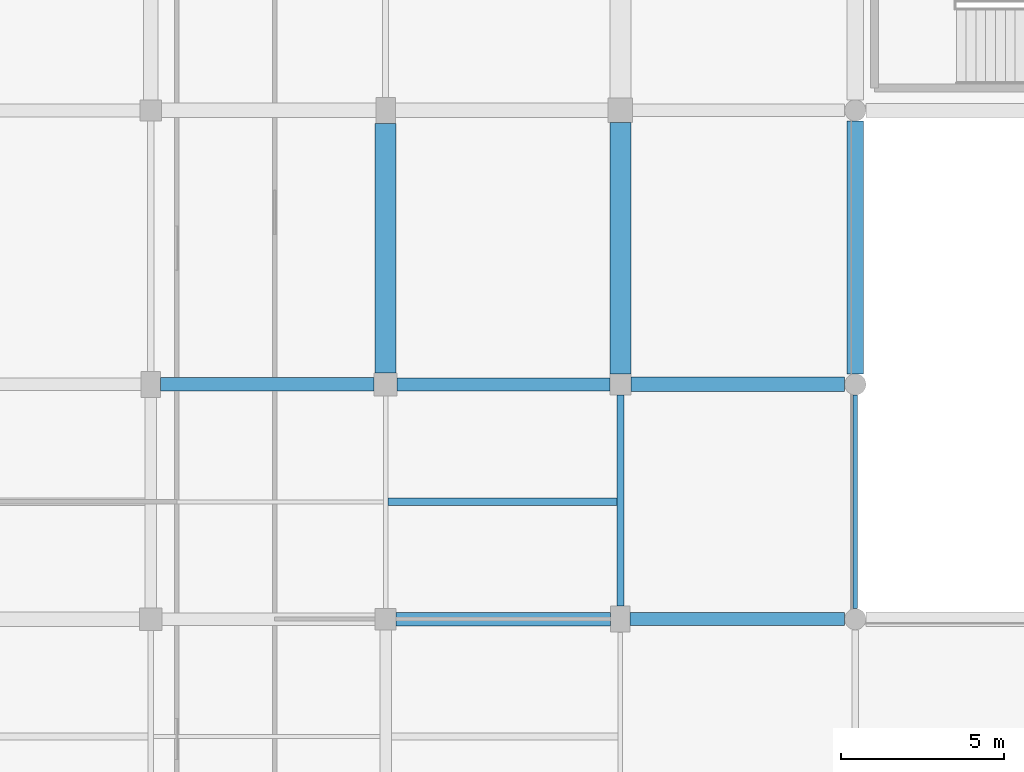
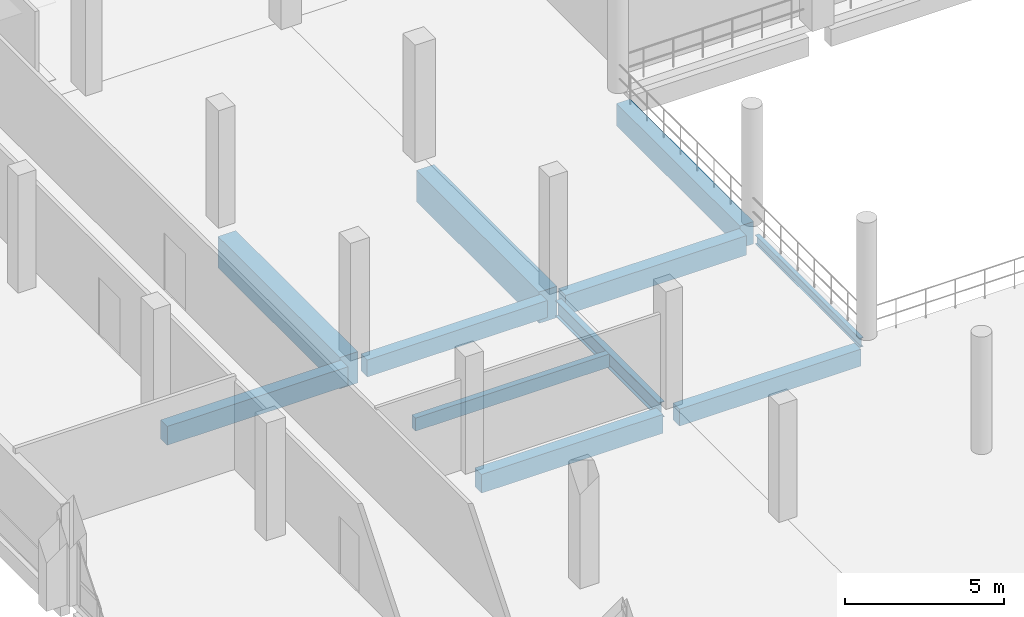
# One storey, part 57 of 116: 11 beams.
"""IFC4 building model written with IfcOpenShell, lengths in metres."""

from ifc_helpers import new_model, si_unit, direction, frame, origin, origin_2d, place, context, subcontext, project, spatial, rectangle, i_section, extrude, material, material_profile, profile_set, type_object, element, save


model = new_model("IFC4")

# Units and contexts
model_context = context("Model", 3, precision=1e-05, world=origin(), true_north=direction((0.0, 1.0)))
body_context = subcontext(model_context, "Body", "Model", "MODEL_VIEW")
ifc_project = project(units=[si_unit("LENGTHUNIT", "METRE"), si_unit("AREAUNIT", "SQUARE_METRE"), si_unit("VOLUMEUNIT", "CUBIC_METRE"), si_unit("PLANEANGLEUNIT", "RADIAN"), si_unit("MASSUNIT", "GRAM", prefix="KILO")], contexts=[model_context])

# Site, building, storey
site_placement = place(None, origin())
site = spatial("IfcSite", under=ifc_project, at=site_placement, CompositionType="ELEMENT")
building_placement = place(site_placement, origin())
building = spatial("IfcBuilding", under=site, at=building_placement, Name="Kalluvel Institute of Natural Sciences", CompositionType="ELEMENT")
storey_placement = place(building_placement, frame((0.0, 0.0, 14.39990234375)))
storey = spatial("IfcBuildingStorey", under=building, at=storey_placement, Name="L03", CompositionType="ELEMENT", Elevation=14.39990234375)

# Beams
ifc_material_1 = material(Name="Steel E350 Grade 350", Category="steel")
ifc_material_profile_1 = material_profile(ifc_material_1, i_section(OverallWidth=0.139892578125, OverallDepth=0.35009765625, WebThickness=0.008056640625, FlangeThickness=0.01416015625, FilletRadius=0.013916015625, at=origin_2d()), Name="ISMB 350")
ifc_profile_set_1 = profile_set([ifc_material_profile_1], Name="Steel E350 Grade 350")
beam_type_1 = type_object("IfcBeamType", Name="BM-ISMB350", PredefinedType="BEAM", material=ifc_profile_set_1)
beam_1_placement = place(storey_placement, frame((42.800048828125, 79.125, -0.494873046875), z_axis=(0.0, 1.0, 0.0), x_axis=(-1.0, 0.0, 0.0)))
element("IfcBeam", 1, at=beam_1_placement, inside=storey, type_object=beam_type_1, Name="L03 girder GIR-L03-NS-X428-Y788", PredefinedType="BEAM", context=body_context, shape_type="SweptSolid", body=[
    extrude(i_section(OverallWidth=0.139892578125, OverallDepth=0.35009765625, WebThickness=0.008056640625, FlangeThickness=0.01416015625, FilletRadius=0.013916015625, at=origin_2d()), origin(), (0.0, 0.0, 1.0), 6.550048828125),
])
ifc_material_profile_2 = material_profile(ifc_material_1, i_section(OverallWidth=0.2099609375, OverallDepth=0.60009765625, WebThickness=0.011962890625, FlangeThickness=0.020751953125, FilletRadius=0.02001953125, at=origin_2d()), Name="ISMB 600")
ifc_profile_set_2 = profile_set([ifc_material_profile_2], Name="Steel E350 Grade 350")
beam_type_2 = type_object("IfcBeamType", Name="BM-ISMB600", PredefinedType="BEAM", material=ifc_profile_set_2)
beam_2_placement = place(storey_placement, frame((35.60009765625, 79.199951171875, -0.599853515625), z_axis=(0.0, 1.0, 0.0), x_axis=(-1.0, 0.0, 0.0)))
element("IfcBeam", 2, at=beam_2_placement, inside=storey, type_object=beam_type_2, Name="L03 girder GIR-L03-NS-X356-Y788", PredefinedType="BEAM", context=body_context, shape_type="SweptSolid", body=[
    extrude(i_section(OverallWidth=0.2099609375, OverallDepth=0.60009765625, WebThickness=0.011962890625, FlangeThickness=0.020751953125, FilletRadius=0.02001953125, at=origin_2d()), origin(), (0.0, 0.0, 1.0), 6.47509765625),
])
ifc_material_2 = material(Name="Concrete M40", Category="concrete")
ifc_material_profile_3 = material_profile(ifc_material_2, rectangle(XDim=0.39990234375, YDim=0.64990234375, at=origin_2d()), Name="RCB 400x650")
ifc_profile_set_3 = profile_set([ifc_material_profile_3], Name="Concrete M40")
beam_type_3 = type_object("IfcBeamType", Name="BM-RC400x650", PredefinedType="BEAM", material=ifc_profile_set_3)
beam_3_placement = place(storey_placement, frame((35.89990234375, 78.800048828125, -0.64501953125), z_axis=(1.0, 0.0, 0.0), x_axis=(0.0, 1.0, 0.0)))
element("IfcBeam", 3, at=beam_3_placement, inside=storey, type_object=beam_type_3, Name="L03 girder GIR-L03-EW-X356-Y788", PredefinedType="BEAM", context=body_context, shape_type="SweptSolid", body=[
    extrude(rectangle(XDim=0.39990234375, YDim=0.64990234375, at=origin_2d()), origin(), (0.0, 0.0, 1.0), 6.5751953125),
])
beam_4_placement = place(storey_placement, frame((28.75, 86.0, -0.625), z_axis=(1.0, 0.0, 0.0), x_axis=(0.0, 1.0, 0.0)))
element("IfcBeam", 4, at=beam_4_placement, inside=storey, type_object=beam_type_3, Name="L03 girder GIR-L03-EW-X284-Y860", PredefinedType="BEAM", context=body_context, shape_type="SweptSolid", body=[
    extrude(rectangle(XDim=0.39990234375, YDim=0.64990234375, at=origin_2d()), origin(), (0.0, 0.0, 1.0), 6.52490234375),
])
ifc_material_profile_4 = material_profile(ifc_material_2, rectangle(XDim=0.419921875, YDim=0.719970703125, at=origin_2d()), Name="RCB 420x720")
ifc_profile_set_4 = profile_set([ifc_material_profile_4], Name="Concrete M40")
beam_type_4 = type_object("IfcBeamType", Name="BM-RC420x720", PredefinedType="BEAM", material=ifc_profile_set_4)
beam_5_placement = place(storey_placement, frame((28.72509765625, 78.800048828125, -0.659912109375), z_axis=(1.0, 0.0, 0.0), x_axis=(0.0, 1.0, 0.0)))
element("IfcBeam", 5, at=beam_5_placement, inside=storey, type_object=beam_type_4, Name="L03 girder GIR-L03-EW-X284-Y788", PredefinedType="BEAM", context=body_context, shape_type="SweptSolid", body=[
    extrude(rectangle(XDim=0.419921875, YDim=0.719970703125, at=origin_2d()), origin(), (0.0, 0.0, 1.0), 6.574951171875),
])
beam_6_placement = place(storey_placement, frame((21.5, 86.0, -0.659912109375), z_axis=(1.0, 0.0, 0.0), x_axis=(0.0, 1.0, 0.0)))
element("IfcBeam", 6, at=beam_6_placement, inside=storey, type_object=beam_type_4, Name="L03 girder GIR-L03-EW-X212-Y860", PredefinedType="BEAM", context=body_context, shape_type="SweptSolid", body=[
    extrude(rectangle(XDim=0.419921875, YDim=0.719970703125, at=origin_2d()), origin(), (0.0, 0.0, 1.0), 6.550048828125),
])
ifc_material_profile_5 = material_profile(ifc_material_2, rectangle(XDim=0.449951171875, YDim=0.75, at=origin_2d()), Name="RCB 450x750")
ifc_profile_set_5 = profile_set([ifc_material_profile_5], Name="Concrete M40")
beam_type_5 = type_object("IfcBeamType", Name="BM-RC450x750", PredefinedType="BEAM", material=ifc_profile_set_5)
beam_7_placement = place(storey_placement, frame((35.925048828125, 86.0, -0.69482421875), z_axis=(1.0, 0.0, 0.0), x_axis=(0.0, 1.0, 0.0)))
element("IfcBeam", 7, at=beam_7_placement, inside=storey, type_object=beam_type_5, Name="L03 girder GIR-L03-EW-X356-Y860", PredefinedType="BEAM", context=body_context, shape_type="SweptSolid", body=[
    extrude(rectangle(XDim=0.449951171875, YDim=0.75, at=origin_2d()), origin(), (0.0, 0.0, 1.0), 6.550048828125),
])
ifc_material_3 = material(Name="Concrete M50", Category="concrete")
ifc_material_profile_6 = material_profile(ifc_material_3, rectangle(XDim=0.5, YDim=0.85009765625, at=origin_2d()), Name="RCB 500x850")
ifc_profile_set_6 = profile_set([ifc_material_profile_6], Name="Concrete M50")
beam_type_6 = type_object("IfcBeamType", Name="BM-RC500x850", PredefinedType="BEAM", material=ifc_profile_set_6)
beam_8_placement = place(storey_placement, frame((42.800048828125, 86.324951171875, -0.744873046875), z_axis=(0.0, 1.0, 0.0), x_axis=(-1.0, 0.0, 0.0)))
element("IfcBeam", 8, at=beam_8_placement, inside=storey, type_object=beam_type_6, Name="L03 girder GIR-L03-NS-X428-Y860", PredefinedType="BEAM", context=body_context, shape_type="SweptSolid", body=[
    extrude(rectangle(XDim=0.5, YDim=0.85009765625, at=origin_2d()), origin(), (0.0, 0.0, 1.0), 7.75),
])
ifc_material_profile_7 = material_profile(ifc_material_3, rectangle(XDim=0.64990234375, YDim=1.199951171875, at=origin_2d()), Name="RCB 650x1200")
ifc_profile_set_7 = profile_set([ifc_material_profile_7], Name="Concrete M50")
beam_type_7 = type_object("IfcBeamType", Name="BM-RC650x1200", PredefinedType="BEAM", material=ifc_profile_set_7)
beam_9_placement = place(storey_placement, frame((28.39990234375, 86.35009765625, -0.89990234375), z_axis=(0.0, 1.0, 0.0), x_axis=(-1.0, 0.0, 0.0)))
element("IfcBeam", 9, at=beam_9_placement, inside=storey, type_object=beam_type_7, Name="L03 girder GIR-L03-NS-X284-Y860", PredefinedType="BEAM", context=body_context, shape_type="SweptSolid", body=[
    extrude(rectangle(XDim=0.64990234375, YDim=1.199951171875, at=origin_2d()), origin(), (0.0, 0.0, 1.0), 7.64990234375),
])
beam_10_placement = place(storey_placement, frame((35.60009765625, 86.324951171875, -0.89990234375), z_axis=(0.0, 1.0, 0.0), x_axis=(-1.0, 0.0, 0.0)))
element("IfcBeam", 10, at=beam_10_placement, inside=storey, type_object=beam_type_7, Name="L03 girder GIR-L03-NS-X356-Y860", PredefinedType="BEAM", context=body_context, shape_type="SweptSolid", body=[
    extrude(rectangle(XDim=0.64990234375, YDim=1.199951171875, at=origin_2d()), origin(), (0.0, 0.0, 1.0), 7.699951171875),
])
ifc_material_profile_8 = material_profile(ifc_material_2, rectangle(XDim=0.219970703125, YDim=0.5, at=origin_2d()), Name="WAF 220x500")
ifc_profile_set_8 = profile_set([ifc_material_profile_8], Name="Concrete M40")
beam_type_8 = type_object("IfcBeamType", Name="WJ-220x500", PredefinedType="JOIST", material=ifc_profile_set_8)
beam_11_placement = place(storey_placement, frame((28.469970703125, 82.39990234375, -0.5498046875), z_axis=(1.0, 0.0, 0.0), x_axis=(0.0, 1.0, 0.0)))
element("IfcBeam", 11, at=beam_11_placement, inside=storey, type_object=beam_type_8, Name="L03 floor rib RIB-L03-0706", PredefinedType="JOIST", context=body_context, shape_type="SweptSolid", body=[
    extrude(rectangle(XDim=0.219970703125, YDim=0.5, at=origin_2d()), origin(), (0.0, 0.0, 1.0), 7.025146484375),
])

save(model, "model.ifc")
